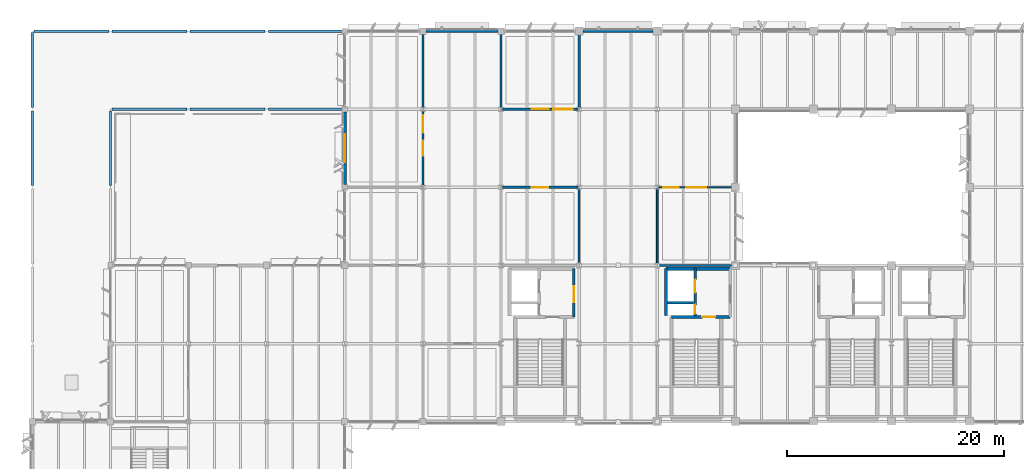
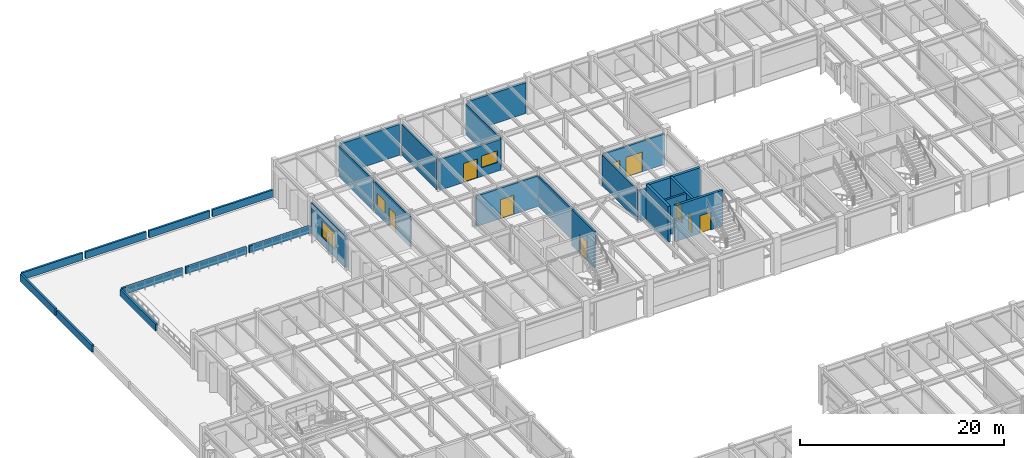
# One storey, part 39 of 92: 29 walls, 8 doors, 4 windows, 12 openings.
"""IFC4 building model written with IfcOpenShell, lengths in metres."""

import ifcopenshell
import ifcopenshell.guid

model = None  # the IFC model being written
_history = None  # IfcOwnerHistory: only IFC2X3 demands one
_inside = {}  # id of a spatial element -> (the spatial element, [elements in it])
_under = {}  # id of a project, library or spatial element -> (it, [spatial elements below it])
_declared = {}  # id of a project -> (the project, [libraries it declares])
_typed = {}  # id of a type object -> (the type object, [elements of that type])
_made_of = {}  # id of a material, layer set ... -> (it, [elements and type objects made of it])


def new_model(schema):
    """Start an empty IFC model of exactly this schema.

    Asked for "IFC4X3", IfcOpenShell would pick the latest addendum, in which some entities
    have other attributes; the version numbers below select the first issue.
    IFC2X3 requires an IfcOwnerHistory on every rooted entity: one is made here for all.
    """
    global model, _history
    if schema == "IFC4X3":
        model = ifcopenshell.file(schema_version=(4, 3, 0, 0))
    else:
        model = ifcopenshell.file(schema=schema)
    _inside.clear()
    _under.clear()
    _declared.clear()
    _typed.clear()
    _made_of.clear()
    _history = None
    if model.schema == "IFC2X3":
        org = make("IfcOrganization", Name="unknown")
        user = make(
            "IfcPersonAndOrganization",
            ThePerson=make("IfcPerson", FamilyName="unknown"),
            TheOrganization=org,
        )
        app = make(
            "IfcApplication",
            ApplicationDeveloper=org,
            Version="unknown",
            ApplicationFullName="unknown",
            ApplicationIdentifier="unknown",
        )
        _history = make(
            "IfcOwnerHistory",
            OwningUser=user,
            OwningApplication=app,
            ChangeAction="ADDED",
            CreationDate=0,
        )
    return model


def make(cls, **values):
    """One entity of the class cls with the attributes given. An attribute that is None is left unset."""
    return model.create_entity(
        cls, **{name: value for name, value in values.items() if value is not None}
    )


def rooted(cls, **values):
    """An entity with a GlobalId (a new one), such as an element, a storey or a relation."""
    return make(cls, GlobalId=ifcopenshell.guid.new(), OwnerHistory=_history, **values)


def si_unit(unit_type, name, prefix=None):
    """IfcSIUnit, for example si_unit("LENGTHUNIT", "METRE", prefix="MILLI")."""
    return make("IfcSIUnit", UnitType=unit_type, Prefix=prefix, Name=name)


def assignment(units):
    """IfcUnitAssignment: the units of a project."""
    return None if units is None else make("IfcUnitAssignment", Units=units)


def point(xyz):
    """IfcCartesianPoint."""
    return None if xyz is None else make("IfcCartesianPoint", Coordinates=xyz)


def direction(xyz):
    """IfcDirection."""
    return None if xyz is None else make("IfcDirection", DirectionRatios=xyz)


def frame(location, z_axis=None, x_axis=None):
    """IfcAxis2Placement3D, a coordinate frame: its origin and axes. An axis left out is left unset."""
    return make(
        "IfcAxis2Placement3D",
        Location=point(location),
        Axis=direction(z_axis),
        RefDirection=direction(x_axis),
    )


def frame_2d(location, x_axis=None):
    """IfcAxis2Placement2D, a coordinate frame in the plane: its origin and x axis."""
    return make(
        "IfcAxis2Placement2D", Location=point(location), RefDirection=direction(x_axis)
    )


def origin():
    """The frame at (0, 0, 0) with its axes left unset."""
    return frame((0.0, 0.0, 0.0))


def place(relative_to, where):
    """IfcLocalPlacement: puts the frame where relative to a parent placement (None: the world)."""
    return make(
        "IfcLocalPlacement", PlacementRelTo=relative_to, RelativePlacement=where
    )


def context(
    kind, dimensions, precision=None, world=None, true_north=None, identifier=None
):
    """IfcGeometricRepresentationContext, for example the 3D "Model" context."""
    return make(
        "IfcGeometricRepresentationContext",
        ContextIdentifier=identifier,
        ContextType=kind,
        CoordinateSpaceDimension=dimensions,
        Precision=precision,
        WorldCoordinateSystem=world,
        TrueNorth=true_north,
    )


def subcontext(parent, identifier, kind, view, scale=None):
    """IfcGeometricRepresentationSubContext, for example "Body" below "Model"."""
    return make(
        "IfcGeometricRepresentationSubContext",
        ContextIdentifier=identifier,
        ContextType=kind,
        ParentContext=parent,
        TargetScale=scale,
        TargetView=view,
    )


def project(units=None, contexts=None):
    """IfcProject with its units and contexts."""
    return rooted(
        "IfcProject",
        Name="project",
        RepresentationContexts=contexts,
        UnitsInContext=assignment(units),
    )


def spatial(cls, under=None, at=None, **own):
    """A site, building, storey or space (cls), placed at a placement, below another one or the project."""
    s = rooted(cls, ObjectPlacement=at, **own)
    if under is not None:
        _under.setdefault(under.id(), (under, []))[1].append(s)
    return s


def profile(cls, at=None, kind="AREA", **sizes):
    """A parametric profile (cls). Its sizes go by their IFC names, for example OverallWidth=200.0."""
    return make(cls, ProfileType=kind, Position=at, **sizes)


def rectangle(**sizes):
    """IfcRectangleProfileDef."""
    return profile("IfcRectangleProfileDef", **sizes)


def extrude(swept, where, along, depth):
    """IfcExtrudedAreaSolid: the profile swept, set in the frame where, extruded along a direction by depth."""
    return make(
        "IfcExtrudedAreaSolid",
        SweptArea=swept,
        Position=where,
        ExtrudedDirection=direction(along),
        Depth=depth,
    )


def shape(context_of_items, identifier, shape_type, items):
    """IfcShapeRepresentation: the items that make up one representation, for example the "Body"."""
    return make(
        "IfcShapeRepresentation",
        ContextOfItems=context_of_items,
        RepresentationIdentifier=identifier,
        RepresentationType=shape_type,
        Items=items,
    )


def material(Name=None, Category=None):
    """IfcMaterial."""
    return make("IfcMaterial", Name=Name, Category=Category)


def layer(
    of_material, thickness, ventilated=None, Name=None, Category=None, Priority=None
):
    """IfcMaterialLayer: one layer of a wall or slab, of a material (None: an air gap)."""
    return make(
        "IfcMaterialLayer",
        Material=of_material,
        LayerThickness=thickness,
        IsVentilated=ventilated,
        Name=Name,
        Category=Category,
        Priority=Priority,
    )


def layer_set(layers, Name=None):
    """IfcMaterialLayerSet."""
    return make("IfcMaterialLayerSet", MaterialLayers=layers, LayerSetName=Name)


def made_of(thing, what):
    """Note that an element or type object is made of a material, layer set ...; save() writes the relation."""
    if what is not None:
        _made_of.setdefault(what.id(), (what, []))[1].append(thing)
    return thing


def type_object(cls, material=None, **own):
    """A type object (cls), such as IfcWallType, which elements share."""
    return made_of(rooted(cls, **own), material)


def element(
    cls,
    number,
    at=None,
    inside=None,
    cuts=None,
    type_object=None,
    material=None,
    context=None,
    identifier="Body",
    shape_type=None,
    held_by="IfcProductDefinitionShape",
    body=None,
    shapes=None,
    **own,
):
    """One element of the class cls, such as IfcWall. Its Tag is "e" and its number.

    at: its placement. inside: the storey or other place that contains it. cuts: it is an
    opening in that element (IfcRelVoidsElement). A single representation is given by context,
    identifier, shape_type and body (its items); several are given by shapes. held_by: the class
    of the entity that holds the representations. save() writes the other relations.
    """
    e = rooted(cls, Tag="e%d" % number, ObjectPlacement=at, **own)
    if body is not None:
        shapes = [shape(context, identifier, shape_type, body)]
    if shapes is not None:
        e.Representation = make(held_by, Representations=shapes)
    if inside is not None:
        _inside.setdefault(inside.id(), (inside, []))[1].append(e)
    if cuts is not None:
        rooted(
            "IfcRelVoidsElement", RelatingBuildingElement=cuts, RelatedOpeningElement=e
        )
    if type_object is not None:
        _typed.setdefault(type_object.id(), (type_object, []))[1].append(e)
    return made_of(e, material)


def fill(opening, filler):
    """IfcRelFillsElement: the door or window that sits in an opening."""
    return rooted(
        "IfcRelFillsElement",
        RelatingOpeningElement=opening,
        RelatedBuildingElement=filler,
    )


def aggregate(whole, parts):
    """IfcRelAggregates: a whole, such as a stair, and the parts it consists of."""
    return rooted("IfcRelAggregates", RelatingObject=whole, RelatedObjects=parts)


def save(model, path):
    """Write the relations noted so far, then the file.

    IfcRelAggregates (storeys below a building ...), IfcRelContainedInSpatialStructure (elements
    in a storey), IfcRelDefinesByType, IfcRelAssociatesMaterial and IfcRelDeclares: one each for
    every whole, place, type object, material and project.
    """
    for whole, parts in _under.values():
        aggregate(whole, parts)
    for where, things in _inside.values():
        rooted(
            "IfcRelContainedInSpatialStructure",
            RelatedElements=things,
            RelatingStructure=where,
        )
    for kind, things in _typed.values():
        rooted("IfcRelDefinesByType", RelatedObjects=things, RelatingType=kind)
    for what, things in _made_of.values():
        rooted("IfcRelAssociatesMaterial", RelatedObjects=things, RelatingMaterial=what)
    for by, libraries in _declared.values():
        rooted("IfcRelDeclares", RelatingContext=by, RelatedDefinitions=libraries)
    model.write(path)


model = new_model("IFC4")

# Units and contexts
model_context = context("Model", 3, precision=1e-05, world=origin(), true_north=direction((0.0, 1.0)))
body_context = subcontext(model_context, "Body", "Model", "MODEL_VIEW")
ifc_project = project(units=[si_unit("LENGTHUNIT", "METRE"), si_unit("AREAUNIT", "SQUARE_METRE"), si_unit("VOLUMEUNIT", "CUBIC_METRE"), si_unit("PLANEANGLEUNIT", "RADIAN"), si_unit("MASSUNIT", "GRAM", prefix="KILO")], contexts=[model_context])

# Site, building, storey
site_placement = place(None, origin())
site = spatial("IfcSite", under=ifc_project, at=site_placement, CompositionType="ELEMENT")
building_placement = place(site_placement, origin())
building = spatial("IfcBuilding", under=site, at=building_placement, Name="Sillqori Civic Hall", CompositionType="ELEMENT")
storey_placement = place(building_placement, frame((0.0, 0.0, 5.39990234375)))
storey = spatial("IfcBuildingStorey", under=building, at=storey_placement, Name="L02", CompositionType="ELEMENT", Elevation=5.39990234375)

# Wall, opening, door
ifc_material_1 = material(Name="Concrete C35/45 (H35)", Category="concrete")
ifc_layer_1 = layer(ifc_material_1, 0.219970703125)
ifc_layer_set_1 = layer_set([ifc_layer_1], Name="Concrete C35/45 (H35)")
wall_type_1 = type_object("IfcWallType", Name="CW-SHR-220", PredefinedType="SHEAR", material=ifc_layer_set_1)
wall_1_placement = place(storey_placement, frame((57.1201171875, 93.300048828125, 0.0), z_axis=(0.0, 0.0, 1.0), x_axis=(0.0, -1.0, 0.0)))
wall_1 = element("IfcWall", 1, at=wall_1_placement, inside=storey, type_object=wall_type_1, Name="L02 C5 firefighting lobby enclosure wall", PredefinedType="SHEAR", context=body_context, shape_type="SweptSolid", body=[
    extrude(rectangle(XDim=4.449951171875, YDim=0.219970703125, at=frame_2d((2.22509765625, 0.0))), origin(), (0.0, 0.0, 1.0), 4.300048828125),
])
opening_1_placement = place(wall_1_placement, frame((1.625, 0.0, 0.0)))
opening_1 = element("IfcOpeningElement", 2, at=opening_1_placement, cuts=wall_1, Name="Opening FD-03", PredefinedType="OPENING", context=body_context, shape_type="SweptSolid", body=[
    extrude(rectangle(XDim=1.449951171875, YDim=2.199951171875, at=frame_2d((0.72509765625, 1.10009765625))), frame((0.0, 0.119873046875, 0.0), z_axis=(0.0, -1.0, 0.0), x_axis=(1.0, 0.0, 0.0)), (0.0, 0.0, 1.0), 0.239990234375),
])
ifc_material_2 = material(Name="Double-Leaf Smoke-Seal Lobby Door", Category="steel")
door_type_1 = type_object("IfcDoorType", Name="FDR-LOB-145X220", OperationType="NOTDEFINED", PredefinedType="DOOR", material=ifc_material_2)
door_1_placement = place(opening_1_placement, origin())
door_1 = element("IfcDoor", 3, at=door_1_placement, inside=storey, type_object=door_type_1, Name="L02 C5 firefighting lobby exit door", OperationType="DOUBLE_DOOR_SINGLE_SWING", OverallHeight=2.199951171875, OverallWidth=1.449951171875, PredefinedType="DOOR", context=body_context, shape_type="SweptSolid", body=[
    extrude(rectangle(XDim=1.449951171875, YDim=2.199951171875, at=frame_2d((0.72509765625, 1.10009765625))), frame((0.0, 0.02490234375, 0.0), z_axis=(0.0, -1.0, 0.0), x_axis=(1.0, 0.0, 0.0)), (0.0, 0.0, 1.0), 0.050048828125),
])
fill(opening_1, door_1)

# Wall
wall_2_placement = place(storey_placement, frame((65.75, 90.14990234375, 0.0), z_axis=(0.0, 0.0, 1.0), x_axis=(1.0, 0.0, 0.0)))
element("IfcWall", 4, at=wall_2_placement, inside=storey, type_object=wall_type_1, Name="L02 C6 Lift-riser divider wall", PredefinedType="SHEAR", context=body_context, shape_type="SweptSolid", body=[
    extrude(rectangle(XDim=2.39990234375, YDim=0.219970703125, at=frame_2d((1.199951171875, 0.0))), origin(), (0.0, 0.0, 1.0), 4.300048828125),
])

# Wall, opening, door
ifc_layer_2 = layer(ifc_material_1, 0.260009765625)
ifc_layer_set_2 = layer_set([ifc_layer_2], Name="Concrete C35/45 (H35)")
wall_type_2 = type_object("IfcWallType", Name="CW-SHR-260", PredefinedType="SHEAR", material=ifc_layer_set_2)
wall_3_placement = place(storey_placement, frame((66.110107421875, 88.85009765625, 0.0), z_axis=(0.0, 0.0, 1.0), x_axis=(1.0, 0.0, 0.0)))
wall_3 = element("IfcWall", 5, at=wall_3_placement, inside=storey, type_object=wall_type_2, Name="L02 C6 Stair-lobby fire wall", PredefinedType="SHEAR", context=body_context, shape_type="SweptSolid", body=[
    extrude(rectangle(XDim=5.409912109375, YDim=0.260009765625, at=frame_2d((2.705078125, 0.0))), origin(), (0.0, 0.0, 1.0), 4.300048828125),
])
opening_2_placement = place(wall_3_placement, frame((2.840087890625, 0.0, 0.0)))
opening_2 = element("IfcOpeningElement", 6, at=opening_2_placement, cuts=wall_3, Name="Opening FD-02", PredefinedType="OPENING", context=body_context, shape_type="SweptSolid", body=[
    extrude(rectangle(XDim=1.219970703125, YDim=2.14990234375, at=frame_2d((0.60986328125, 1.074951171875))), frame((0.0, 0.139892578125, 0.0), z_axis=(0.0, -1.0, 0.0), x_axis=(1.0, 0.0, 0.0)), (0.0, 0.0, 1.0), 0.280029296875),
])
ifc_material_3 = material(Name="Galvanized Steel Fire Door FD120S", Category="steel")
door_type_2 = type_object("IfcDoorType", Name="FDR-STR-122X215", OperationType="NOTDEFINED", PredefinedType="DOOR", material=ifc_material_3)
door_2_placement = place(opening_2_placement, origin())
door_2 = element("IfcDoor", 7, at=door_2_placement, inside=storey, type_object=door_type_2, Name="L02 stair ST-06 fire door", OperationType="SINGLE_SWING_RIGHT", OverallHeight=2.14990234375, OverallWidth=1.219970703125, PredefinedType="DOOR", context=body_context, shape_type="SweptSolid", body=[
    extrude(rectangle(XDim=1.219970703125, YDim=2.14990234375, at=frame_2d((0.60986328125, 1.074951171875))), frame((0.0, 0.02490234375, 0.0), z_axis=(0.0, -1.0, 0.0), x_axis=(1.0, 0.0, 0.0)), (0.0, 0.0, 1.0), 0.050048828125),
])
fill(opening_2, door_2)

# Wall, openings, doors
wall_4_placement = place(storey_placement, frame((68.300048828125, 93.300048828125, 0.0), z_axis=(0.0, 0.0, 1.0), x_axis=(0.0, -1.0, 0.0)))
wall_4 = element("IfcWall", 8, at=wall_4_placement, inside=storey, type_object=wall_type_2, Name="L02 C6 Lift landing & riser front wall", PredefinedType="SHEAR", context=body_context, shape_type="SweptSolid", body=[
    extrude(rectangle(XDim=4.320068359375, YDim=0.260009765625, at=frame_2d((2.16015625, 0.0))), origin(), (0.0, 0.0, 1.0), 4.300048828125),
])
opening_3_placement = place(wall_4_placement, frame((1.0, 0.0, 0.0)))
opening_3 = element("IfcOpeningElement", 9, at=opening_3_placement, cuts=wall_4, Name="Opening LD-02", PredefinedType="OPENING", context=body_context, shape_type="SweptSolid", body=[
    extrude(rectangle(XDim=1.199951171875, YDim=2.14990234375, at=frame_2d((0.60009765625, 1.074951171875))), frame((0.0, 0.139892578125, 0.0), z_axis=(0.0, -1.0, 0.0), x_axis=(1.0, 0.0, 0.0)), (0.0, 0.0, 1.0), 0.280029296875),
])
opening_4_placement = place(wall_4_placement, frame((3.324951171875, 0.0, 0.0)))
opening_4 = element("IfcOpeningElement", 10, at=opening_4_placement, cuts=wall_4, Name="Opening FD-05", PredefinedType="OPENING", context=body_context, shape_type="SweptSolid", body=[
    extrude(rectangle(XDim=0.85009765625, YDim=2.050048828125, at=frame_2d((0.425048828125, 1.02490234375))), frame((0.0, 0.139892578125, 0.0), z_axis=(0.0, -1.0, 0.0), x_axis=(1.0, 0.0, 0.0)), (0.0, 0.0, 1.0), 0.280029296875),
])
ifc_material_4 = material(Name="Steel Riser Access Fire Door", Category="steel")
door_type_3 = type_object("IfcDoorType", Name="FDR-RSR-085X205", OperationType="NOTDEFINED", PredefinedType="DOOR", material=ifc_material_4)
door_3_placement = place(opening_4_placement, origin())
door_3 = element("IfcDoor", 11, at=door_3_placement, inside=storey, type_object=door_type_3, Name="L02 MEP riser C6 fire access door", OperationType="SINGLE_SWING_LEFT", OverallHeight=2.050048828125, OverallWidth=0.85009765625, PredefinedType="DOOR", context=body_context, shape_type="SweptSolid", body=[
    extrude(rectangle(XDim=0.85009765625, YDim=2.050048828125, at=frame_2d((0.425048828125, 1.02490234375))), frame((0.0, 0.02490234375, 0.0), z_axis=(0.0, -1.0, 0.0), x_axis=(1.0, 0.0, 0.0)), (0.0, 0.0, 1.0), 0.050048828125),
])
fill(opening_4, door_3)
ifc_material_5 = material(Name="Firefighting Lift Landing Door", Category="steel")
door_type_4 = type_object("IfcDoorType", Name="LDR-FIRE-120X215", OperationType="NOTDEFINED", PredefinedType="DOOR", material=ifc_material_5)
door_4_placement = place(opening_3_placement, origin())
door_4 = element("IfcDoor", 12, at=door_4_placement, inside=storey, type_object=door_type_4, Name="L02 lift LF-01 sliding landing door", OperationType="DOUBLE_DOOR_SLIDING", OverallHeight=2.14990234375, OverallWidth=1.199951171875, PredefinedType="DOOR", context=body_context, shape_type="SweptSolid", body=[
    extrude(rectangle(XDim=1.199951171875, YDim=2.14990234375, at=frame_2d((0.60009765625, 1.074951171875))), frame((0.0, 0.02490234375, 0.0), z_axis=(0.0, -1.0, 0.0), x_axis=(1.0, 0.0, 0.0)), (0.0, 0.0, 1.0), 0.050048828125),
])
fill(opening_3, door_4)

# Walls
ifc_layer_3 = layer(ifc_material_1, 0.300048828125)
ifc_layer_set_3 = layer_set([ifc_layer_3], Name="Concrete C35/45 (H35)")
wall_type_3 = type_object("IfcWallType", Name="CW-SHR-300", PredefinedType="SHEAR", material=ifc_layer_set_3)
wall_5_placement = place(storey_placement, frame((65.60009765625, 88.97998046875, 0.0), z_axis=(0.0, 0.0, 1.0), x_axis=(0.0, 1.0, 0.0)))
element("IfcWall", 13, at=wall_5_placement, inside=storey, type_object=wall_type_3, Name="L02 C6 Lift shaft west shear wall", PredefinedType="SHEAR", context=body_context, shape_type="SweptSolid", body=[
    extrude(rectangle(XDim=4.320068359375, YDim=0.300048828125, at=frame_2d((2.16015625, 0.0))), origin(), (0.0, 0.0, 1.0), 4.300048828125),
])
wall_6_placement = place(storey_placement, frame((65.60009765625, 93.300048828125, 0.0), z_axis=(0.0, 0.0, 1.0), x_axis=(1.0, 0.0, 0.0)))
element("IfcWall", 14, at=wall_6_placement, inside=storey, type_object=wall_type_3, Name="L02 C6 Core north shear wall", PredefinedType="SHEAR", context=body_context, shape_type="SweptSolid", body=[
    extrude(rectangle(XDim=5.919921875, YDim=0.300048828125, at=frame_2d((2.9599609375, 0.0))), origin(), (0.0, 0.0, 1.0), 4.300048828125),
])

# Wall, opening, window
ifc_material_6 = material(Name="Precast concrete C40/50 (H40)", Category="concrete")
ifc_layer_4 = layer(ifc_material_6, 0.280029296875)
ifc_layer_set_4 = layer_set([ifc_layer_4], Name="Precast concrete C40/50 (H40)")
wall_type_4 = type_object("IfcWallType", Name="EW-LIME-280", PredefinedType="SOLIDWALL", material=ifc_layer_set_4)
wall_7_placement = place(storey_placement, frame((36.0, 101.050048828125, 0.0), z_axis=(0.0, 0.0, 1.0), x_axis=(0.0, 1.0, 0.0)))
wall_7 = element("IfcWall", 15, at=wall_7_placement, inside=storey, type_object=wall_type_4, Name="L02 V4 exterior wall L02-05-14-W", PredefinedType="SOLIDWALL", context=body_context, shape_type="SweptSolid", body=[
    extrude(rectangle(XDim=6.699951171875, YDim=0.280029296875, at=frame_2d((3.35009765625, 0.0))), origin(), (0.0, 0.0, 1.0), 3.76708984375),
])
opening_5_placement = place(wall_7_placement, frame((2.050048828125, 0.0, 0.949951171875)))
opening_5 = element("IfcOpeningElement", 16, at=opening_5_placement, cuts=wall_7, Name="Opening W-16", PredefinedType="OPENING", context=body_context, shape_type="SweptSolid", body=[
    extrude(rectangle(XDim=2.60009765625, YDim=1.89990234375, at=frame_2d((1.300048828125, 0.949951171875))), frame((0.0, 0.14990234375, 0.0), z_axis=(0.0, -1.0, 0.0), x_axis=(1.0, 0.0, 0.0)), (0.0, 0.0, 1.0), 0.300048828125),
])
ifc_material_7 = material(Name="Thermally Broken Aluminium Low-E Window", Category="aluminium")
window_type_1 = type_object("IfcWindowType", Name="WIN-V4-260X190", PartitioningType="SINGLE_PANEL", PredefinedType="WINDOW", material=ifc_material_7)
window_1_placement = place(opening_5_placement, origin())
window_1 = element("IfcWindow", 17, at=window_1_placement, inside=storey, type_object=window_type_1, Name="L02 V4 window L02-05-14-W.1", OverallHeight=1.89990234375, OverallWidth=2.60009765625, PartitioningType="SINGLE_PANEL", PredefinedType="WINDOW", context=body_context, shape_type="SweptSolid", body=[
    extrude(rectangle(XDim=2.60009765625, YDim=1.89990234375, at=frame_2d((1.300048828125, 0.949951171875))), frame((0.0, 0.030029296875, 0.0), z_axis=(0.0, -1.0, 0.0), x_axis=(1.0, 0.0, 0.0)), (0.0, 0.0, 1.0), 0.06005859375),
])
fill(opening_5, window_1)

# Walls
wall_8_placement = place(storey_placement, frame((43.5, 115.199951171875, 0.0), z_axis=(0.0, 0.0, 1.0), x_axis=(1.0, 0.0, 0.0)))
element("IfcWall", 18, at=wall_8_placement, inside=storey, type_object=wall_type_4, Name="L02 V4 exterior wall L02-06-15-N", PredefinedType="SOLIDWALL", context=body_context, shape_type="SweptSolid", body=[
    extrude(rectangle(XDim=6.60009765625, YDim=0.280029296875, at=frame_2d((3.300048828125, 0.0))), origin(), (0.0, 0.0, 1.0), 3.697998046875),
])
wall_9_placement = place(storey_placement, frame((57.97509765625, 115.199951171875, 0.0), z_axis=(0.0, 0.0, 1.0), x_axis=(1.0, 0.0, 0.0)))
element("IfcWall", 19, at=wall_9_placement, inside=storey, type_object=wall_type_4, Name="L02 V4 exterior wall L02-08-15-N", PredefinedType="SOLIDWALL", context=body_context, shape_type="SweptSolid", body=[
    extrude(rectangle(XDim=6.449951171875, YDim=0.280029296875, at=frame_2d((3.22509765625, 0.0))), origin(), (0.0, 0.0, 1.0), 3.697998046875),
])

# Wall, openings, door, window
ifc_material_8 = material(Name="Committee Acoustic Baffle Wall 162", Category="gypsum")
ifc_layer_5 = layer(ifc_material_8, 0.162109375)
ifc_layer_set_5 = layer_set([ifc_layer_5], Name="Committee Acoustic Baffle Wall 162")
wall_type_5 = type_object("IfcWallType", Name="PT-GYP-162", PredefinedType="PARTITIONING", material=ifc_layer_set_5)
wall_10_placement = place(storey_placement, frame((43.199951171875, 107.8798828125, 0.0), z_axis=(0.0, 0.0, 1.0), x_axis=(0.0, -1.0, 0.0)))
wall_10 = element("IfcWall", 20, at=wall_10_placement, inside=storey, type_object=wall_type_5, Name="Environmental Licensing Review Office partition E1", PredefinedType="PARTITIONING", context=body_context, shape_type="SweptSolid", body=[
    extrude(rectangle(XDim=6.9599609375, YDim=0.162109375, at=frame_2d((3.47998046875, 0.0))), origin(), (0.0, 0.0, 1.0), 3.68798828125),
])
opening_6_placement = place(wall_10_placement, frame((2.800048828125, 0.0, 0.0)))
opening_6 = element("IfcOpeningElement", 21, at=opening_6_placement, cuts=wall_10, Name="Opening ID-33", PredefinedType="OPENING", context=body_context, shape_type="SweptSolid", body=[
    extrude(rectangle(XDim=1.360107421875, YDim=2.239990234375, at=frame_2d((0.68017578125, 1.1201171875))), frame((0.0, 0.091064453125, 0.0), z_axis=(0.0, -1.0, 0.0), x_axis=(1.0, 0.0, 0.0)), (0.0, 0.0, 1.0), 0.18212890625),
])
opening_7_placement = place(wall_10_placement, frame((0.449951171875, 0.0, 1.050048828125)))
opening_7 = element("IfcOpeningElement", 22, at=opening_7_placement, cuts=wall_10, Name="Opening IW-50", PredefinedType="OPENING", context=body_context, shape_type="SweptSolid", body=[
    extrude(rectangle(XDim=1.580078125, YDim=1.47998046875, at=frame_2d((0.7900390625, 0.739990234375))), frame((0.0, 0.091064453125, 0.0), z_axis=(0.0, -1.0, 0.0), x_axis=(1.0, 0.0, 0.0)), (0.0, 0.0, 1.0), 0.18212890625),
])
ifc_material_9 = material(Name="Cadastre Studio Door 1360", Category="timber")
door_type_5 = type_object("IfcDoorType", Name="IDR-DIR-136X224", OperationType="NOTDEFINED", PredefinedType="DOOR", material=ifc_material_9)
door_5_placement = place(opening_6_placement, origin())
door_5 = element("IfcDoor", 23, at=door_5_placement, inside=storey, type_object=door_type_5, Name="Environmental Licensing Review Office entrance door", OperationType="SINGLE_SWING_RIGHT", OverallHeight=2.239990234375, OverallWidth=1.360107421875, PredefinedType="DOOR", context=body_context, shape_type="SweptSolid", body=[
    extrude(rectangle(XDim=1.360107421875, YDim=2.239990234375, at=frame_2d((0.68017578125, 1.1201171875))), frame((0.0, 0.02490234375, 0.0), z_axis=(0.0, -1.0, 0.0), x_axis=(1.0, 0.0, 0.0)), (0.0, 0.0, 1.0), 0.050048828125),
])
fill(opening_6, door_5)
ifc_material_10 = material(Name="Acoustic Laminated Interior Clerestory Glazing", Category="glass")
window_type_2 = type_object("IfcWindowType", Name="IWN-GAL-158X148", PartitioningType="SINGLE_PANEL", PredefinedType="WINDOW", material=ifc_material_10)
window_2_placement = place(opening_7_placement, origin())
window_2 = element("IfcWindow", 24, at=window_2_placement, inside=storey, type_object=window_type_2, Name="Environmental Licensing Review Office borrowed-light screen", OverallHeight=1.47998046875, OverallWidth=1.580078125, PartitioningType="SINGLE_PANEL", PredefinedType="WINDOW", context=body_context, shape_type="SweptSolid", body=[
    extrude(rectangle(XDim=1.580078125, YDim=1.47998046875, at=frame_2d((0.7900390625, 0.739990234375))), frame((0.0, 0.030029296875, 0.0), z_axis=(0.0, -1.0, 0.0), x_axis=(1.0, 0.0, 0.0)), (0.0, 0.0, 1.0), 0.06005859375),
])
fill(opening_7, window_2)

# Wall
wall_11_placement = place(storey_placement, frame((43.199951171875, 114.919921875, 0.0), z_axis=(0.0, 0.0, 1.0), x_axis=(0.0, -1.0, 0.0)))
element("IfcWall", 25, at=wall_11_placement, inside=storey, type_object=wall_type_5, Name="Environmental Licensing Review Office partition E2", PredefinedType="PARTITIONING", context=body_context, shape_type="SweptSolid", body=[
    extrude(rectangle(XDim=6.7998046875, YDim=0.162109375, at=frame_2d((3.39990234375, 0.0))), origin(), (0.0, 0.0, 1.0), 3.68798828125),
])

# Wall, opening, door
ifc_material_11 = material(Name="Concrete C25/30 (H25)", Category="concrete")
ifc_layer_6 = layer(ifc_material_11, 0.205078125)
ifc_layer_set_6 = layer_set([ifc_layer_6], Name="Concrete C25/30 (H25)")
wall_type_6 = type_object("IfcWallType", Name="PT-MAS-205", PredefinedType="PARTITIONING", material=ifc_layer_set_6)
wall_12_placement = place(storey_placement, frame((50.52001953125, 100.800048828125, 0.0), z_axis=(0.0, 0.0, 1.0), x_axis=(1.0, 0.0, 0.0)))
wall_12 = element("IfcWall", 26, at=wall_12_placement, inside=storey, type_object=wall_type_6, Name="Urban Mobility and Transport Directorate L02-05 partition N1", PredefinedType="PARTITIONING", context=body_context, shape_type="SweptSolid", body=[
    extrude(rectangle(XDim=6.9599609375, YDim=0.205078125, at=frame_2d((3.47998046875, 0.0))), origin(), (0.0, 0.0, 1.0), 3.68798828125),
])
opening_8_placement = place(wall_12_placement, frame((2.7099609375, 0.0, 0.0)))
opening_8 = element("IfcOpeningElement", 27, at=opening_8_placement, cuts=wall_12, Name="Opening ID-36", PredefinedType="OPENING", context=body_context, shape_type="SweptSolid", body=[
    extrude(rectangle(XDim=1.5400390625, YDim=2.280029296875, at=frame_2d((0.77001953125, 1.14013671875))), frame((0.0, 0.112548828125, 0.0), z_axis=(0.0, -1.0, 0.0), x_axis=(1.0, 0.0, 0.0)), (0.0, 0.0, 1.0), 0.22509765625),
])
ifc_material_12 = material(Name="Hearing Salon Double Door 1540", Category="timber")
door_type_6 = type_object("IfcDoorType", Name="IDR-DIR-154X228", OperationType="NOTDEFINED", PredefinedType="DOOR", material=ifc_material_12)
door_6_placement = place(opening_8_placement, origin())
door_6 = element("IfcDoor", 28, at=door_6_placement, inside=storey, type_object=door_type_6, Name="Urban Mobility and Transport Directorate L02-05 entrance door", OperationType="DOUBLE_DOOR_SINGLE_SWING", OverallHeight=2.280029296875, OverallWidth=1.5400390625, PredefinedType="DOOR", context=body_context, shape_type="SweptSolid", body=[
    extrude(rectangle(XDim=1.5400390625, YDim=2.280029296875, at=frame_2d((0.77001953125, 1.14013671875))), frame((0.0, 0.02490234375, 0.0), z_axis=(0.0, -1.0, 0.0), x_axis=(1.0, 0.0, 0.0)), (0.0, 0.0, 1.0), 0.050048828125),
])
fill(opening_8, door_6)

# Wall
wall_13_placement = place(storey_placement, frame((57.60009765625, 100.679931640625, 0.0), z_axis=(0.0, 0.0, 1.0), x_axis=(0.0, -1.0, 0.0)))
element("IfcWall", 29, at=wall_13_placement, inside=storey, type_object=wall_type_6, Name="Urban Mobility and Transport Directorate L02-05 partition E4", PredefinedType="PARTITIONING", context=body_context, shape_type="SweptSolid", body=[
    extrude(rectangle(XDim=6.800048828125, YDim=0.205078125, at=frame_2d((3.39990234375, 0.0))), origin(), (0.0, 0.0, 1.0), 3.68798828125),
])

# Wall, openings, door, window
ifc_layer_7 = layer(ifc_material_11, 0.219970703125)
ifc_layer_set_7 = layer_set([ifc_layer_7], Name="Concrete C25/30 (H25)")
wall_type_7 = type_object("IfcWallType", Name="PT-MAS-220", PredefinedType="PARTITIONING", material=ifc_layer_set_7)
wall_14_placement = place(storey_placement, frame((57.47998046875, 108.0, 0.0), z_axis=(0.0, 0.0, 1.0), x_axis=(-1.0, 0.0, 0.0)))
wall_14 = element("IfcWall", 30, at=wall_14_placement, inside=storey, type_object=wall_type_7, Name="Municipal Cadastre GIS Mapping Studio L02-06 partition S1", PredefinedType="PARTITIONING", context=body_context, shape_type="SweptSolid", body=[
    extrude(rectangle(XDim=6.9599609375, YDim=0.219970703125, at=frame_2d((3.47998046875, 0.0))), origin(), (0.0, 0.0, 1.0), 3.68798828125),
])
opening_9_placement = place(wall_14_placement, frame((2.68994140625, 0.0, 0.0)))
opening_9 = element("IfcOpeningElement", 31, at=opening_9_placement, cuts=wall_14, Name="Opening ID-37", PredefinedType="OPENING", context=body_context, shape_type="SweptSolid", body=[
    extrude(rectangle(XDim=1.580078125, YDim=2.280029296875, at=frame_2d((0.7900390625, 1.14013671875))), frame((0.0, 0.119873046875, 0.0), z_axis=(0.0, -1.0, 0.0), x_axis=(1.0, 0.0, 0.0)), (0.0, 0.0, 1.0), 0.239990234375),
])
opening_10_placement = place(wall_14_placement, frame((0.449951171875, 0.0, 1.050048828125)))
opening_10 = element("IfcOpeningElement", 32, at=opening_10_placement, cuts=wall_14, Name="Opening IW-04", PredefinedType="OPENING", context=body_context, shape_type="SweptSolid", body=[
    extrude(rectangle(XDim=1.800048828125, YDim=1.39990234375, at=frame_2d((0.89990234375, 0.699951171875))), frame((0.0, 0.119873046875, 0.0), z_axis=(0.0, -1.0, 0.0), x_axis=(1.0, 0.0, 0.0)), (0.0, 0.0, 1.0), 0.239990234375),
])
ifc_material_13 = material(Name="Hearing Salon Double Door 1580", Category="timber")
door_type_7 = type_object("IfcDoorType", Name="IDR-DIR-158X228", OperationType="NOTDEFINED", PredefinedType="DOOR", material=ifc_material_13)
door_7_placement = place(opening_9_placement, origin())
door_7 = element("IfcDoor", 33, at=door_7_placement, inside=storey, type_object=door_type_7, Name="Municipal Cadastre GIS Mapping Studio L02-06 entrance door", OperationType="DOUBLE_DOOR_SINGLE_SWING", OverallHeight=2.280029296875, OverallWidth=1.580078125, PredefinedType="DOOR", context=body_context, shape_type="SweptSolid", body=[
    extrude(rectangle(XDim=1.580078125, YDim=2.280029296875, at=frame_2d((0.7900390625, 1.14013671875))), frame((0.0, 0.02490234375, 0.0), z_axis=(0.0, -1.0, 0.0), x_axis=(1.0, 0.0, 0.0)), (0.0, 0.0, 1.0), 0.050048828125),
])
fill(opening_9, door_7)
window_type_3 = type_object("IfcWindowType", Name="IWN-LIB-180X140", PartitioningType="SINGLE_PANEL", PredefinedType="WINDOW", material=ifc_material_10)
window_3_placement = place(opening_10_placement, origin())
window_3 = element("IfcWindow", 34, at=window_3_placement, inside=storey, type_object=window_type_3, Name="Municipal Cadastre GIS Mapping Studio L02-06 borrowed-light screen", OverallHeight=1.39990234375, OverallWidth=1.800048828125, PartitioningType="SINGLE_PANEL", PredefinedType="WINDOW", context=body_context, shape_type="SweptSolid", body=[
    extrude(rectangle(XDim=1.800048828125, YDim=1.39990234375, at=frame_2d((0.89990234375, 0.699951171875))), frame((0.0, 0.030029296875, 0.0), z_axis=(0.0, -1.0, 0.0), x_axis=(1.0, 0.0, 0.0)), (0.0, 0.0, 1.0), 0.06005859375),
])
fill(opening_10, window_3)

# Walls
wall_15_placement = place(storey_placement, frame((50.39990234375, 108.1201171875, 0.0), z_axis=(0.0, 0.0, 1.0), x_axis=(0.0, 1.0, 0.0)))
element("IfcWall", 35, at=wall_15_placement, inside=storey, type_object=wall_type_7, Name="Municipal Cadastre GIS Mapping Studio L02-06 partition W2", PredefinedType="PARTITIONING", context=body_context, shape_type="SweptSolid", body=[
    extrude(rectangle(XDim=6.9599609375, YDim=0.219970703125, at=frame_2d((3.47998046875, 0.0))), origin(), (0.0, 0.0, 1.0), 3.68798828125),
])
wall_16_placement = place(storey_placement, frame((57.60009765625, 114.919921875, 0.0), z_axis=(0.0, 0.0, 1.0), x_axis=(0.0, -1.0, 0.0)))
element("IfcWall", 36, at=wall_16_placement, inside=storey, type_object=wall_type_7, Name="Municipal Cadastre GIS Mapping Studio L02-06 partition E3", PredefinedType="PARTITIONING", context=body_context, shape_type="SweptSolid", body=[
    extrude(rectangle(XDim=6.7998046875, YDim=0.219970703125, at=frame_2d((3.39990234375, 0.0))), origin(), (0.0, 0.0, 1.0), 3.68798828125),
])

# Wall, openings, door, window
ifc_material_14 = material(Name="Limestone-Veneer Ceremonial Wall 168", Category="masonry")
ifc_layer_8 = layer(ifc_material_14, 0.16796875)
ifc_layer_set_8 = layer_set([ifc_layer_8], Name="Limestone-Veneer Ceremonial Wall 168")
wall_type_8 = type_object("IfcWallType", Name="PT-STN-168", PredefinedType="PARTITIONING", material=ifc_layer_set_8)
wall_17_placement = place(storey_placement, frame((64.919921875, 100.800048828125, 0.0), z_axis=(0.0, 0.0, 1.0), x_axis=(1.0, 0.0, 0.0)))
wall_17 = element("IfcWall", 37, at=wall_17_placement, inside=storey, type_object=wall_type_8, Name="Environmental Licensing Review Office L02-07 partition N1", PredefinedType="PARTITIONING", context=body_context, shape_type="SweptSolid", body=[
    extrude(rectangle(XDim=6.9599609375, YDim=0.16796875, at=frame_2d((3.47998046875, 0.0))), origin(), (0.0, 0.0, 1.0), 3.68798828125),
])
opening_11_placement = place(wall_17_placement, frame((2.56005859375, 0.0, 0.0)))
opening_11 = element("IfcOpeningElement", 38, at=opening_11_placement, cuts=wall_17, Name="Opening ID-41", PredefinedType="OPENING", context=body_context, shape_type="SweptSolid", body=[
    extrude(rectangle(XDim=1.840087890625, YDim=2.360107421875, at=frame_2d((0.919921875, 1.18017578125))), frame((0.0, 0.093994140625, 0.0), z_axis=(0.0, -1.0, 0.0), x_axis=(1.0, 0.0, 0.0)), (0.0, 0.0, 1.0), 0.18798828125),
])
opening_12_placement = place(wall_17_placement, frame((0.449951171875, 0.0, 1.050048828125)))
opening_12 = element("IfcOpeningElement", 39, at=opening_12_placement, cuts=wall_17, Name="Opening IW-08", PredefinedType="OPENING", context=body_context, shape_type="SweptSolid", body=[
    extrude(rectangle(XDim=1.39990234375, YDim=1.199951171875, at=frame_2d((0.699951171875, 0.60009765625))), frame((0.0, 0.093994140625, 0.0), z_axis=(0.0, -1.0, 0.0), x_axis=(1.0, 0.0, 0.0)), (0.0, 0.0, 1.0), 0.18798828125),
])
ifc_material_15 = material(Name="Assembly Double Door 1840", Category="timber")
door_type_8 = type_object("IfcDoorType", Name="IDR-DIR-184X236", OperationType="NOTDEFINED", PredefinedType="DOOR", material=ifc_material_15)
door_8_placement = place(opening_11_placement, origin())
door_8 = element("IfcDoor", 40, at=door_8_placement, inside=storey, type_object=door_type_8, Name="Environmental Licensing Review Office L02-07 entrance door", OperationType="DOUBLE_DOOR_SINGLE_SWING", OverallHeight=2.360107421875, OverallWidth=1.840087890625, PredefinedType="DOOR", context=body_context, shape_type="SweptSolid", body=[
    extrude(rectangle(XDim=1.840087890625, YDim=2.360107421875, at=frame_2d((0.919921875, 1.18017578125))), frame((0.0, 0.02490234375, 0.0), z_axis=(0.0, -1.0, 0.0), x_axis=(1.0, 0.0, 0.0)), (0.0, 0.0, 1.0), 0.050048828125),
])
fill(opening_11, door_8)
window_type_4 = type_object("IfcWindowType", Name="IWN-STU-140X120", PartitioningType="SINGLE_PANEL", PredefinedType="WINDOW", material=ifc_material_10)
window_4_placement = place(opening_12_placement, origin())
window_4 = element("IfcWindow", 41, at=window_4_placement, inside=storey, type_object=window_type_4, Name="Environmental Licensing Review Office L02-07 borrowed-light screen", OverallHeight=1.199951171875, OverallWidth=1.39990234375, PartitioningType="SINGLE_PANEL", PredefinedType="WINDOW", context=body_context, shape_type="SweptSolid", body=[
    extrude(rectangle(XDim=1.39990234375, YDim=1.199951171875, at=frame_2d((0.699951171875, 0.60009765625))), frame((0.0, 0.030029296875, 0.0), z_axis=(0.0, -1.0, 0.0), x_axis=(1.0, 0.0, 0.0)), (0.0, 0.0, 1.0), 0.06005859375),
])
fill(opening_12, window_4)

# Walls
for number, where, z_axis, x_axis, name in (
    (42, (71.8798828125, 93.60009765625, 0.0), (0.0, 0.0, 1.0), (-1.0, 0.0, 0.0), "Environmental Licensing Review Office L02-07 partition S2"),
    (43, (64.800048828125, 93.719970703125, 0.0), (0.0, 0.0, 1.0), (0.0, 1.0, 0.0), "Environmental Licensing Review Office L02-07 partition W3"),
):
    element("IfcWall", number, at=place(storey_placement, frame(where, z_axis=z_axis, x_axis=x_axis)), inside=storey, type_object=wall_type_8, Name=name, PredefinedType="PARTITIONING", context=body_context, shape_type="SweptSolid", body=[
        extrude(rectangle(XDim=6.9599609375, YDim=0.16796875, at=frame_2d((3.47998046875, 0.0))), origin(), (0.0, 0.0, 1.0), 3.68798828125),
    ])
ifc_layer_9 = layer(ifc_material_6, 0.219970703125)
ifc_layer_set_9 = layer_set([ifc_layer_9], Name="Precast concrete C40/50 (H40)")
wall_type_9 = type_object("IfcWallType", Name="WP-PAR-220", PredefinedType="PARAPET", material=ifc_layer_set_9)
for number, where, z_axis, x_axis, name in (
    (44, (7.199951171875, 100.949951171875, 0.0), (0.0, 0.0, 1.0), (0.0, 1.0, 0.0), "L02 roof parapet 01"),
    (45, (7.199951171875, 108.14990234375, 0.0), (0.0, 0.0, 1.0), (0.0, 1.0, 0.0), "L02 roof parapet 02"),
):
    element("IfcWall", number, at=place(storey_placement, frame(where, z_axis=z_axis, x_axis=x_axis)), inside=storey, type_object=wall_type_9, Name=name, PredefinedType="PARAPET", context=body_context, shape_type="SweptSolid", body=[
        extrude(rectangle(XDim=6.900146484375, YDim=0.219970703125, at=frame_2d((3.4501953125, 0.0))), origin(), (0.0, 0.0, 1.0), 0.85009765625),
    ])
for number, where, z_axis, x_axis, name in (
    (46, (7.35009765625, 115.199951171875, 0.0), (0.0, 0.0, 1.0), (1.0, 0.0, 0.0), "L02 roof parapet 03"),
    (47, (14.550048828125, 115.199951171875, 0.0), (0.0, 0.0, 1.0), (1.0, 0.0, 0.0), "L02 roof parapet 04"),
    (48, (21.75, 115.199951171875, 0.0), (0.0, 0.0, 1.0), (1.0, 0.0, 0.0), "L02 roof parapet 05"),
):
    element("IfcWall", number, at=place(storey_placement, frame(where, z_axis=z_axis, x_axis=x_axis)), inside=storey, type_object=wall_type_9, Name=name, PredefinedType="PARAPET", context=body_context, shape_type="SweptSolid", body=[
        extrude(rectangle(XDim=6.89990234375, YDim=0.219970703125, at=frame_2d((3.449951171875, 0.0))), origin(), (0.0, 0.0, 1.0), 0.85009765625),
    ])
for number, where, z_axis, x_axis, name in (
    (49, (28.949951171875, 115.199951171875, 0.0), (0.0, 0.0, 1.0), (1.0, 0.0, 0.0), "L02 roof parapet 06"),
    (50, (35.85009765625, 108.0, 0.0), (0.0, 0.0, 1.0), (-1.0, 0.0, 0.0), "L02 roof parapet 08"),
):
    element("IfcWall", number, at=place(storey_placement, frame(where, z_axis=z_axis, x_axis=x_axis)), inside=storey, type_object=wall_type_9, Name=name, PredefinedType="PARAPET", context=body_context, shape_type="SweptSolid", body=[
        extrude(rectangle(XDim=6.900146484375, YDim=0.219970703125, at=frame_2d((3.4501953125, 0.0))), origin(), (0.0, 0.0, 1.0), 0.85009765625),
    ])
for number, where, z_axis, x_axis, name in (
    (51, (28.64990234375, 108.0, 0.0), (0.0, 0.0, 1.0), (-1.0, 0.0, 0.0), "L02 roof parapet 09"),
    (52, (21.449951171875, 108.0, 0.0), (0.0, 0.0, 1.0), (-1.0, 0.0, 0.0), "L02 roof parapet 10"),
):
    element("IfcWall", number, at=place(storey_placement, frame(where, z_axis=z_axis, x_axis=x_axis)), inside=storey, type_object=wall_type_9, Name=name, PredefinedType="PARAPET", context=body_context, shape_type="SweptSolid", body=[
        extrude(rectangle(XDim=6.89990234375, YDim=0.219970703125, at=frame_2d((3.449951171875, 0.0))), origin(), (0.0, 0.0, 1.0), 0.85009765625),
    ])
wall_18_placement = place(storey_placement, frame((14.39990234375, 107.85009765625, 0.0), z_axis=(0.0, 0.0, 1.0), x_axis=(0.0, -1.0, 0.0)))
element("IfcWall", 53, at=wall_18_placement, inside=storey, type_object=wall_type_9, Name="L02 roof parapet 11", PredefinedType="PARAPET", context=body_context, shape_type="SweptSolid", body=[
    extrude(rectangle(XDim=6.900146484375, YDim=0.219970703125, at=frame_2d((3.4501953125, 0.0))), origin(), (0.0, 0.0, 1.0), 0.85009765625),
])

save(model, "model.ifc")
